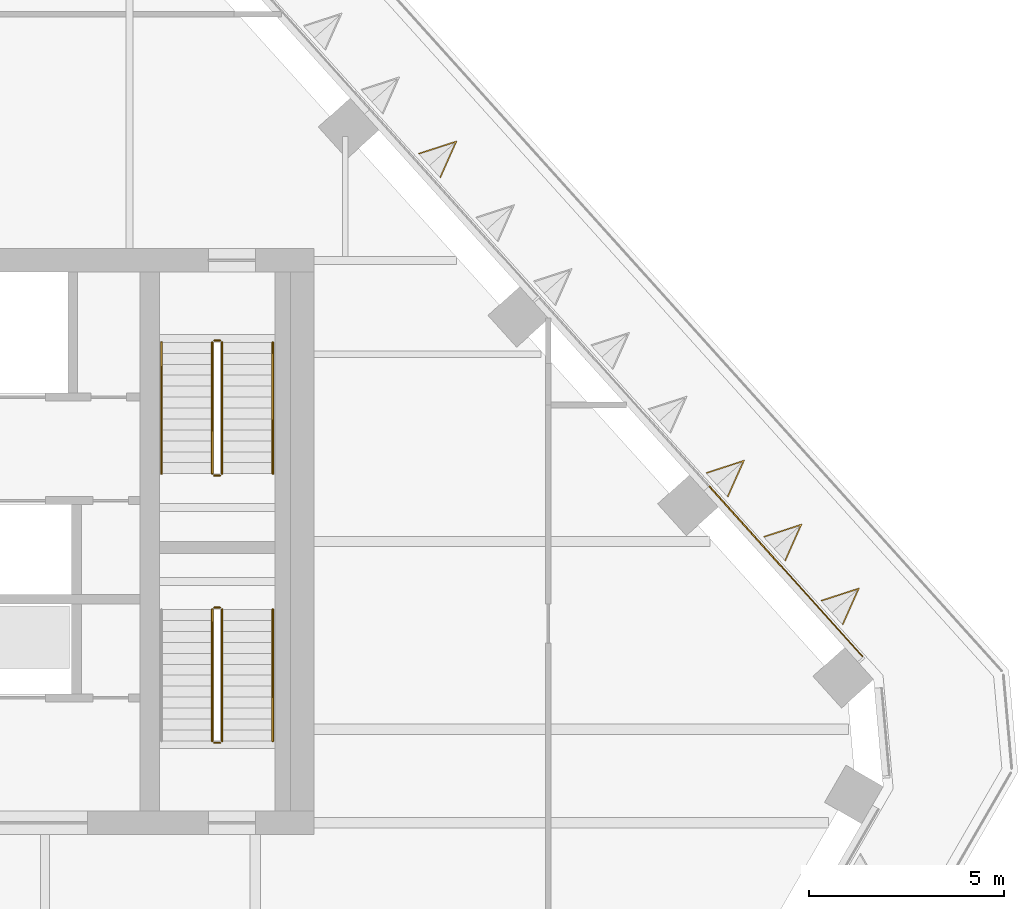
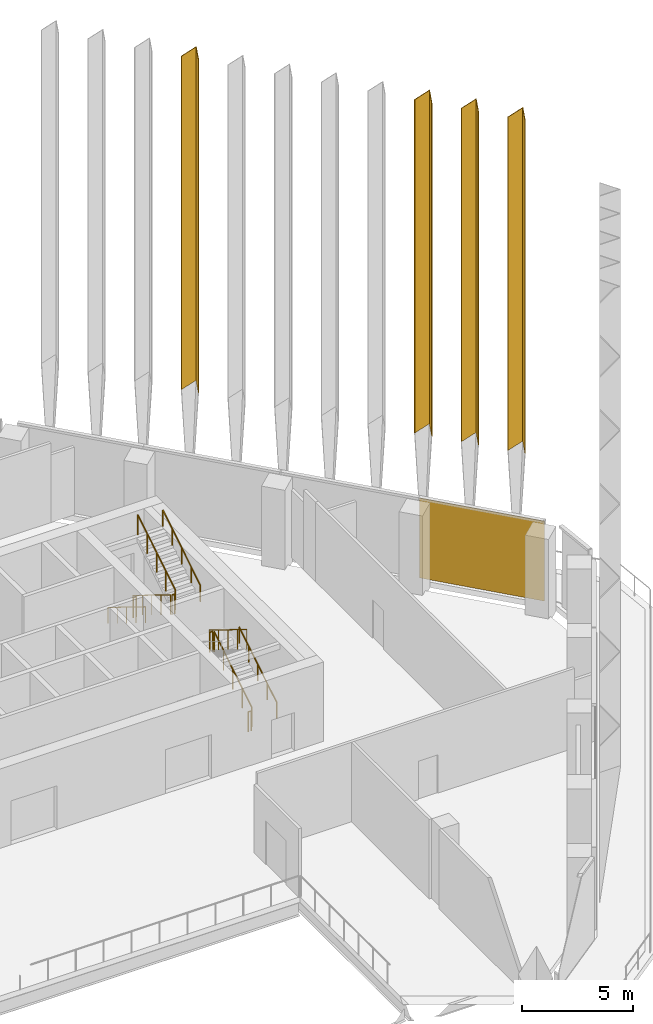
# One storey, part 17 of 21: 11 railings, 5 coverings, 1 element without a shape of its own.
"""IFC4 building model written with IfcOpenShell, lengths in metres."""

from ifc_helpers import new_model, si_unit, direction, frame, origin, origin_2d, place, context, subcontext, project, spatial, polyline, rectangle, circle, outline, extrude, material, layer, layer_set, material_profile, profile_set, type_object, element, aggregate, save


model = new_model("IFC4")

# Units and contexts
model_context = context("Model", 3, precision=1e-05, world=origin(), true_north=direction((0.0, 1.0)))
body_context = subcontext(model_context, "Body", "Model", "MODEL_VIEW")
ifc_project = project(units=[si_unit("LENGTHUNIT", "METRE"), si_unit("AREAUNIT", "SQUARE_METRE"), si_unit("VOLUMEUNIT", "CUBIC_METRE"), si_unit("PLANEANGLEUNIT", "RADIAN"), si_unit("MASSUNIT", "GRAM", prefix="KILO")], contexts=[model_context])

# Site, building, storey
site_placement = place(None, origin())
site = spatial("IfcSite", under=ifc_project, at=site_placement, CompositionType="ELEMENT")
building_placement = place(site_placement, origin())
building = spatial("IfcBuilding", under=site, at=building_placement, Name="Isthmus Gate Tower", CompositionType="ELEMENT")
storey_placement = place(building_placement, frame((0.0, 0.0, 211.800048828125)))
storey = spatial("IfcBuildingStorey", under=building, at=storey_placement, Name="L53", CompositionType="ELEMENT", Elevation=211.800048828125)

# Curtain wall, covering
ifc_material_1 = material(Name="Aluminium, pale champagne anodised", Category="aluminium")
ifc_layer_1 = layer(ifc_material_1, 0.199951171875)
ifc_layer_set_1 = layer_set([ifc_layer_1], Name="CW-1 UNITISED CURTAIN WALL 200 DEEP")
curtain_wall_type = type_object("IfcCurtainWallType", Name="CW-1 UNITISED CURTAIN WALL 200 DEEP", PredefinedType="NOTDEFINED", material=ifc_layer_set_1)
curtain_wall_placement = place(storey_placement, origin())
curtain_wall = element("IfcCurtainWall", 1, at=curtain_wall_placement, inside=storey, type_object=curtain_wall_type, Name="CW-1 NE L53", PredefinedType="NOTDEFINED")
ifc_material_2 = material(Name="Aluminium composite panel, pale champagne anodised", Category="aluminium")
ifc_layer_2 = layer(ifc_material_2, 0.031982421875)
ifc_layer_set_2 = layer_set([ifc_layer_2], Name="CW-1 PALE METAL PANEL 32")
covering_type_1 = type_object("IfcCoveringType", Name="CW-1 PALE METAL PANEL 32", PredefinedType="CLADDING", material=ifc_layer_set_2)
covering_placement = place(storey_placement, frame((27.0908203125, 6.733154296875, 0.0), z_axis=(0.0, 0.0, 1.0), x_axis=(-0.669130606359, 0.743144825477, 0.0)))
covering = element("IfcCovering", 2, at=covering_placement, type_object=covering_type_1, Name="CW-1 pale metal panel", PredefinedType="CLADDING", context=body_context, shape_type="SweptSolid", body=[
    extrude(rectangle(XDim=5.8818359375, YDim=0.031982421875, at=origin_2d()), origin(), (0.0, 0.0, 1.0), 4.3701171875),
])
aggregate(curtain_wall, [covering])

# Coverings
ifc_material_3 = material(Name="Structural steel ASTM A572 Gr 50, white paint system", Category="steel")
ifc_material_profile = material_profile(ifc_material_3, outline(polyline([(0.0, -0.427490234375), (0.9599609375, 0.0), (0.0, 0.427490234375), (0.0, 0.39453125), (0.88623046875, 0.0), (0.0, -0.39453125), (0.0, -0.427490234375)])), Name="V960")
ifc_profile_set = profile_set([ifc_material_profile], Name="Structural steel ASTM A572 Gr 50, white paint system")
covering_type_2 = type_object("IfcCoveringType", Name="FIN V 960 DEEP", PredefinedType="CLADDING", material=ifc_profile_set)
for number, where, z_axis, x_axis, name in (
    (3, (28.2626953125, 5.6796875, 7.75), (0.0, 0.0, 1.0), (0.743144825477, 0.669130606359, 0.0), "FIN"),
    (4, (26.79052734375, 7.314453125, 7.75), (0.0, 0.0, 1.0), (0.743144825477, 0.669130606359, 0.0), "FIN"),
    (5, (25.318603515625, 8.949462890625, 7.75), (0.0, 0.0, 1.0), (0.743144825477, 0.669130606359, 0.0), "FIN"),
    (6, (17.9580078125, 17.1240234375, 7.75), (0.0, 0.0, 1.0), (0.743144825477, 0.669130606359, 0.0), "FIN"),
):
    element("IfcCovering", number, at=place(storey_placement, frame(where, z_axis=z_axis, x_axis=x_axis)), inside=storey, type_object=covering_type_2, Name=name, ObjectType="FIN", PredefinedType="CLADDING", context=body_context, shape_type="SweptSolid", body=[
        extrude(outline(polyline([(0.0, -0.427490234375), (0.9599609375, 0.0), (0.0, 0.427490234375), (0.0, 0.39453125), (0.88623046875, 0.0), (0.0, -0.39453125), (0.0, -0.427490234375)])), origin(), (0.0, 0.0, 1.0), 18.25),
    ])

# Railings
ifc_material_4 = material(Name="Stainless steel balustrade", Category="steel")
railing_type_1 = type_object("IfcRailingType", Name="STAIR GUARD 1100", PredefinedType="GUARDRAIL", material=ifc_material_4)
railing_1_placement = place(storey_placement, frame((12.39990234375, 12.60009765625, 0.173095703125)))
element("IfcRailing", 7, at=railing_1_placement, inside=storey, type_object=railing_type_1, Name="L53 ST2 stair guard 1", PredefinedType="GUARDRAIL", context=body_context, shape_type="SweptSolid", body=[
    extrude(circle(Radius=0.02392578125, at=origin_2d()), frame((0.0, 0.0, 1.076171875), z_axis=(0.0, -0.850623216509, 0.525775754039), x_axis=(1.0, 0.0, 0.0)), (0.0, 0.0, 1.0), 3.9501953125),
    extrude(circle(Radius=0.02099609375, at=origin_2d()), origin(), (0.0, 0.0, 1.0), 1.052001953125),
    extrude(circle(Radius=0.02099609375, at=origin_2d()), frame((0.0, -0.840087890625, 0.519287109375)), (0.0, 0.0, 1.0), 1.052001953125),
    extrude(circle(Radius=0.02099609375, at=origin_2d()), frame((0.0, -1.68017578125, 1.03857421875)), (0.0, 0.0, 1.0), 1.052001953125),
    extrude(circle(Radius=0.02099609375, at=origin_2d()), frame((0.0, -2.52001953125, 1.5576171875)), (0.0, 0.0, 1.0), 1.052001953125),
    extrude(circle(Radius=0.02099609375, at=origin_2d()), frame((0.0, -3.360107421875, 2.076904296875)), (0.0, 0.0, 1.0), 1.052001953125),
])
railing_2_placement = place(storey_placement, frame((12.449951171875, 9.18994140625, 2.25)))
element("IfcRailing", 8, at=railing_2_placement, inside=storey, type_object=railing_type_1, Name="L53 ST2 stair guard 2", PredefinedType="GUARDRAIL", context=body_context, shape_type="SweptSolid", body=[
    extrude(circle(Radius=0.02392578125, at=origin_2d()), frame((0.0, 0.0, 1.076171875), z_axis=(1.0, 0.0, 0.0), x_axis=(0.0, 1.0, 0.0)), (0.0, 0.0, 1.0), 0.150146484375),
    extrude(circle(Radius=0.02099609375, at=origin_2d()), origin(), (0.0, 0.0, 1.0), 1.052001953125),
    extrude(circle(Radius=0.02099609375, at=origin_2d()), frame((0.150146484375, 0.0, 0.0)), (0.0, 0.0, 1.0), 1.052001953125),
])
railing_3_placement = place(storey_placement, frame((12.64990234375, 9.239990234375, 2.423095703125)))
element("IfcRailing", 9, at=railing_3_placement, inside=storey, type_object=railing_type_1, Name="L53 ST2 stair guard 3", PredefinedType="GUARDRAIL", context=body_context, shape_type="SweptSolid", body=[
    extrude(circle(Radius=0.02392578125, at=origin_2d()), frame((0.0, 0.0, 1.076171875), z_axis=(0.0, 0.850623216509, 0.525775754039), x_axis=(-1.0, 0.0, 0.0)), (0.0, 0.0, 1.0), 3.9501953125),
    extrude(circle(Radius=0.02099609375, at=origin_2d()), origin(), (0.0, 0.0, 1.0), 1.052001953125),
    extrude(circle(Radius=0.02099609375, at=origin_2d()), frame((0.0, 0.840087890625, 0.519287109375)), (0.0, 0.0, 1.0), 1.052001953125),
    extrude(circle(Radius=0.02099609375, at=origin_2d()), frame((0.0, 1.68017578125, 1.03857421875)), (0.0, 0.0, 1.0), 1.052001953125),
    extrude(circle(Radius=0.02099609375, at=origin_2d()), frame((0.0, 2.52001953125, 1.5576171875)), (0.0, 0.0, 1.0), 1.052001953125),
    extrude(circle(Radius=0.02099609375, at=origin_2d()), frame((0.0, 3.360107421875, 2.076904296875)), (0.0, 0.0, 1.0), 1.052001953125),
])
railing_4_placement = place(storey_placement, frame((12.449951171875, 12.64990234375, 0.0)))
element("IfcRailing", 10, at=railing_4_placement, inside=storey, type_object=railing_type_1, Name="L53 ST2 stair guard 4", PredefinedType="GUARDRAIL", context=body_context, shape_type="SweptSolid", body=[
    extrude(circle(Radius=0.02392578125, at=origin_2d()), frame((0.0, 0.0, 1.076171875), z_axis=(1.0, 0.0, 0.0), x_axis=(0.0, 1.0, 0.0)), (0.0, 0.0, 1.0), 0.150146484375),
    extrude(circle(Radius=0.02099609375, at=origin_2d()), origin(), (0.0, 0.0, 1.0), 1.052001953125),
    extrude(circle(Radius=0.02099609375, at=origin_2d()), frame((0.150146484375, 0.0, 0.0)), (0.0, 0.0, 1.0), 1.052001953125),
])
railing_5_placement = place(storey_placement, frame((12.64990234375, 2.39990234375, 0.173095703125)))
element("IfcRailing", 11, at=railing_5_placement, inside=storey, type_object=railing_type_1, Name="L53 ST8 stair guard 1", PredefinedType="GUARDRAIL", context=body_context, shape_type="SweptSolid", body=[
    extrude(circle(Radius=0.02392578125, at=origin_2d()), frame((0.0, 0.0, 1.076171875), z_axis=(0.0, 0.850623216509, 0.525775754039), x_axis=(-1.0, 0.0, 0.0)), (0.0, 0.0, 1.0), 3.9501953125),
    extrude(circle(Radius=0.02099609375, at=origin_2d()), origin(), (0.0, 0.0, 1.0), 1.052001953125),
    extrude(circle(Radius=0.02099609375, at=origin_2d()), frame((0.0, 0.840087890625, 0.519287109375)), (0.0, 0.0, 1.0), 1.052001953125),
    extrude(circle(Radius=0.02099609375, at=origin_2d()), frame((0.0, 1.68017578125, 1.03857421875)), (0.0, 0.0, 1.0), 1.052001953125),
    extrude(circle(Radius=0.02099609375, at=origin_2d()), frame((0.0, 2.52001953125, 1.5576171875)), (0.0, 0.0, 1.0), 1.052001953125),
    extrude(circle(Radius=0.02099609375, at=origin_2d()), frame((0.0, 3.360107421875, 2.076904296875)), (0.0, 0.0, 1.0), 1.052001953125),
])
railing_6_placement = place(storey_placement, frame((12.60009765625, 5.81005859375, 2.25)))
element("IfcRailing", 12, at=railing_6_placement, inside=storey, type_object=railing_type_1, Name="L53 ST8 stair guard 2", PredefinedType="GUARDRAIL", context=body_context, shape_type="SweptSolid", body=[
    extrude(circle(Radius=0.02392578125, at=origin_2d()), frame((0.0, 0.0, 1.076171875), z_axis=(-1.0, 0.0, 0.0), x_axis=(0.0, -1.0, 0.0)), (0.0, 0.0, 1.0), 0.150146484375),
    extrude(circle(Radius=0.02099609375, at=origin_2d()), origin(), (0.0, 0.0, 1.0), 1.052001953125),
    extrude(circle(Radius=0.02099609375, at=origin_2d()), frame((-0.150146484375, 0.0, 0.0)), (0.0, 0.0, 1.0), 1.052001953125),
])
railing_7_placement = place(storey_placement, frame((12.39990234375, 5.760009765625, 2.423095703125)))
element("IfcRailing", 13, at=railing_7_placement, inside=storey, type_object=railing_type_1, Name="L53 ST8 stair guard 3", PredefinedType="GUARDRAIL", context=body_context, shape_type="SweptSolid", body=[
    extrude(circle(Radius=0.02392578125, at=origin_2d()), frame((0.0, 0.0, 1.076171875), z_axis=(0.0, -0.850623216509, 0.525775754039), x_axis=(1.0, 0.0, 0.0)), (0.0, 0.0, 1.0), 3.9501953125),
    extrude(circle(Radius=0.02099609375, at=origin_2d()), origin(), (0.0, 0.0, 1.0), 1.052001953125),
    extrude(circle(Radius=0.02099609375, at=origin_2d()), frame((0.0, -0.840087890625, 0.519287109375)), (0.0, 0.0, 1.0), 1.052001953125),
    extrude(circle(Radius=0.02099609375, at=origin_2d()), frame((0.0, -1.68017578125, 1.03857421875)), (0.0, 0.0, 1.0), 1.052001953125),
    extrude(circle(Radius=0.02099609375, at=origin_2d()), frame((0.0, -2.52001953125, 1.5576171875)), (0.0, 0.0, 1.0), 1.052001953125),
    extrude(circle(Radius=0.02099609375, at=origin_2d()), frame((0.0, -3.360107421875, 2.076904296875)), (0.0, 0.0, 1.0), 1.052001953125),
])
railing_8_placement = place(storey_placement, frame((12.60009765625, 2.35009765625, 0.0)))
element("IfcRailing", 14, at=railing_8_placement, inside=storey, type_object=railing_type_1, Name="L53 ST8 stair guard 4", PredefinedType="GUARDRAIL", context=body_context, shape_type="SweptSolid", body=[
    extrude(circle(Radius=0.02392578125, at=origin_2d()), frame((0.0, 0.0, 1.076171875), z_axis=(-1.0, 0.0, 0.0), x_axis=(0.0, -1.0, 0.0)), (0.0, 0.0, 1.0), 0.150146484375),
    extrude(circle(Radius=0.02099609375, at=origin_2d()), origin(), (0.0, 0.0, 1.0), 1.052001953125),
    extrude(circle(Radius=0.02099609375, at=origin_2d()), frame((-0.150146484375, 0.0, 0.0)), (0.0, 0.0, 1.0), 1.052001953125),
])
ifc_material_5 = material(Name="Stainless steel handrail", Category="steel")
railing_type_2 = type_object("IfcRailingType", Name="STAIR HANDRAIL 900", PredefinedType="HANDRAIL", material=ifc_material_5)
railing_9_placement = place(storey_placement, frame((11.10009765625, 12.60009765625, 0.173095703125)))
element("IfcRailing", 15, at=railing_9_placement, inside=storey, type_object=railing_type_2, Name="L53 ST2 stair handrail 1", PredefinedType="HANDRAIL", context=body_context, shape_type="SweptSolid", body=[
    extrude(circle(Radius=0.02392578125, at=origin_2d()), frame((0.0, 0.0, 0.8759765625), z_axis=(0.0, -0.850623216509, 0.525775754039), x_axis=(1.0, 0.0, 0.0)), (0.0, 0.0, 1.0), 3.9501953125),
    extrude(circle(Radius=0.02099609375, at=origin_2d()), origin(), (0.0, 0.0, 1.0), 0.851806640625),
    extrude(circle(Radius=0.02099609375, at=origin_2d()), frame((0.0, -0.840087890625, 0.519287109375)), (0.0, 0.0, 1.0), 0.851806640625),
    extrude(circle(Radius=0.02099609375, at=origin_2d()), frame((0.0, -1.68017578125, 1.03857421875)), (0.0, 0.0, 1.0), 0.851806640625),
    extrude(circle(Radius=0.02099609375, at=origin_2d()), frame((0.0, -2.52001953125, 1.5576171875)), (0.0, 0.0, 1.0), 0.851806640625),
    extrude(circle(Radius=0.02099609375, at=origin_2d()), frame((0.0, -3.360107421875, 2.076904296875)), (0.0, 0.0, 1.0), 0.851806640625),
])
for number, where, name in (
    (16, (13.949951171875, 9.239990234375, 2.423095703125), "L53 ST2 stair handrail 2"),
    (17, (13.949951171875, 2.39990234375, 0.173095703125), "L53 ST8 stair handrail 1"),
):
    element("IfcRailing", number, at=place(storey_placement, frame(where)), inside=storey, type_object=railing_type_2, Name=name, PredefinedType="HANDRAIL", context=body_context, shape_type="SweptSolid", body=[
        extrude(circle(Radius=0.02392578125, at=origin_2d()), frame((0.0, 0.0, 0.8759765625), z_axis=(0.0, 0.850623216509, 0.525775754039), x_axis=(-1.0, 0.0, 0.0)), (0.0, 0.0, 1.0), 3.9501953125),
        extrude(circle(Radius=0.02099609375, at=origin_2d()), origin(), (0.0, 0.0, 1.0), 0.851806640625),
        extrude(circle(Radius=0.02099609375, at=origin_2d()), frame((0.0, 0.840087890625, 0.519287109375)), (0.0, 0.0, 1.0), 0.851806640625),
        extrude(circle(Radius=0.02099609375, at=origin_2d()), frame((0.0, 1.68017578125, 1.03857421875)), (0.0, 0.0, 1.0), 0.851806640625),
        extrude(circle(Radius=0.02099609375, at=origin_2d()), frame((0.0, 2.52001953125, 1.5576171875)), (0.0, 0.0, 1.0), 0.851806640625),
        extrude(circle(Radius=0.02099609375, at=origin_2d()), frame((0.0, 3.360107421875, 2.076904296875)), (0.0, 0.0, 1.0), 0.851806640625),
    ])

save(model, "model.ifc")
